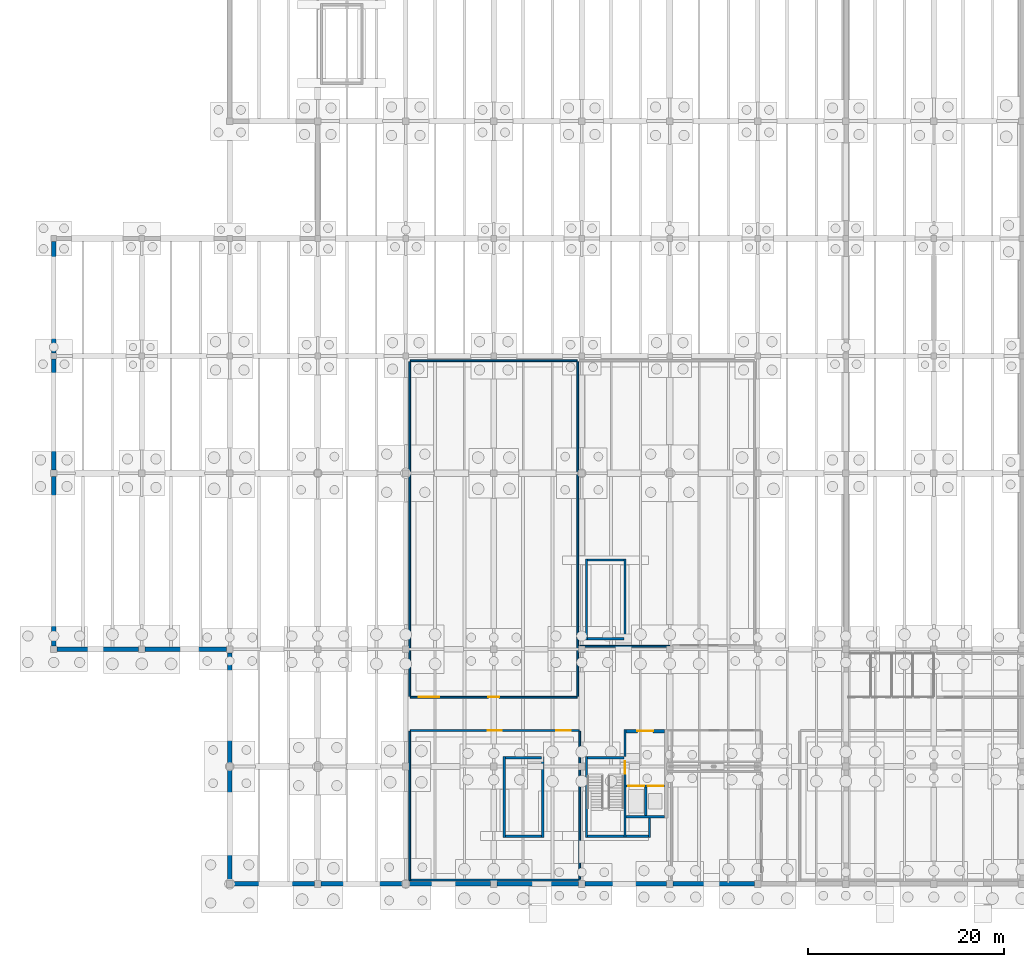
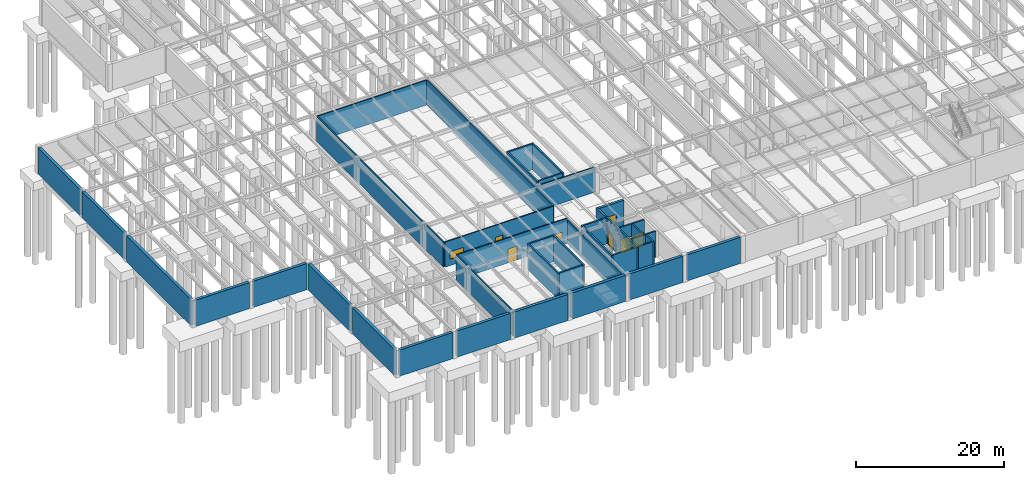
# One storey, part 27 of 40: 41 walls, 6 doors, 2 windows, 8 openings.
"""IFC4 building model written with IfcOpenShell, lengths in metres."""

import ifcopenshell
import ifcopenshell.guid

model = None  # the IFC model being written
_history = None  # IfcOwnerHistory: only IFC2X3 demands one
_inside = {}  # id of a spatial element -> (the spatial element, [elements in it])
_under = {}  # id of a project, library or spatial element -> (it, [spatial elements below it])
_declared = {}  # id of a project -> (the project, [libraries it declares])
_typed = {}  # id of a type object -> (the type object, [elements of that type])
_made_of = {}  # id of a material, layer set ... -> (it, [elements and type objects made of it])


def new_model(schema):
    """Start an empty IFC model of exactly this schema.

    Asked for "IFC4X3", IfcOpenShell would pick the latest addendum, in which some entities
    have other attributes; the version numbers below select the first issue.
    IFC2X3 requires an IfcOwnerHistory on every rooted entity: one is made here for all.
    """
    global model, _history
    if schema == "IFC4X3":
        model = ifcopenshell.file(schema_version=(4, 3, 0, 0))
    else:
        model = ifcopenshell.file(schema=schema)
    _inside.clear()
    _under.clear()
    _declared.clear()
    _typed.clear()
    _made_of.clear()
    _history = None
    if model.schema == "IFC2X3":
        org = make("IfcOrganization", Name="unknown")
        user = make(
            "IfcPersonAndOrganization",
            ThePerson=make("IfcPerson", FamilyName="unknown"),
            TheOrganization=org,
        )
        app = make(
            "IfcApplication",
            ApplicationDeveloper=org,
            Version="unknown",
            ApplicationFullName="unknown",
            ApplicationIdentifier="unknown",
        )
        _history = make(
            "IfcOwnerHistory",
            OwningUser=user,
            OwningApplication=app,
            ChangeAction="ADDED",
            CreationDate=0,
        )
    return model


def make(cls, **values):
    """One entity of the class cls with the attributes given. An attribute that is None is left unset."""
    return model.create_entity(
        cls, **{name: value for name, value in values.items() if value is not None}
    )


def rooted(cls, **values):
    """An entity with a GlobalId (a new one), such as an element, a storey or a relation."""
    return make(cls, GlobalId=ifcopenshell.guid.new(), OwnerHistory=_history, **values)


def si_unit(unit_type, name, prefix=None):
    """IfcSIUnit, for example si_unit("LENGTHUNIT", "METRE", prefix="MILLI")."""
    return make("IfcSIUnit", UnitType=unit_type, Prefix=prefix, Name=name)


def assignment(units):
    """IfcUnitAssignment: the units of a project."""
    return None if units is None else make("IfcUnitAssignment", Units=units)


def point(xyz):
    """IfcCartesianPoint."""
    return None if xyz is None else make("IfcCartesianPoint", Coordinates=xyz)


def direction(xyz):
    """IfcDirection."""
    return None if xyz is None else make("IfcDirection", DirectionRatios=xyz)


def frame(location, z_axis=None, x_axis=None):
    """IfcAxis2Placement3D, a coordinate frame: its origin and axes. An axis left out is left unset."""
    return make(
        "IfcAxis2Placement3D",
        Location=point(location),
        Axis=direction(z_axis),
        RefDirection=direction(x_axis),
    )


def frame_2d(location, x_axis=None):
    """IfcAxis2Placement2D, a coordinate frame in the plane: its origin and x axis."""
    return make(
        "IfcAxis2Placement2D", Location=point(location), RefDirection=direction(x_axis)
    )


def origin():
    """The frame at (0, 0, 0) with its axes left unset."""
    return frame((0.0, 0.0, 0.0))


def place(relative_to, where):
    """IfcLocalPlacement: puts the frame where relative to a parent placement (None: the world)."""
    return make(
        "IfcLocalPlacement", PlacementRelTo=relative_to, RelativePlacement=where
    )


def context(
    kind, dimensions, precision=None, world=None, true_north=None, identifier=None
):
    """IfcGeometricRepresentationContext, for example the 3D "Model" context."""
    return make(
        "IfcGeometricRepresentationContext",
        ContextIdentifier=identifier,
        ContextType=kind,
        CoordinateSpaceDimension=dimensions,
        Precision=precision,
        WorldCoordinateSystem=world,
        TrueNorth=true_north,
    )


def subcontext(parent, identifier, kind, view, scale=None):
    """IfcGeometricRepresentationSubContext, for example "Body" below "Model"."""
    return make(
        "IfcGeometricRepresentationSubContext",
        ContextIdentifier=identifier,
        ContextType=kind,
        ParentContext=parent,
        TargetScale=scale,
        TargetView=view,
    )


def project(units=None, contexts=None):
    """IfcProject with its units and contexts."""
    return rooted(
        "IfcProject",
        Name="project",
        RepresentationContexts=contexts,
        UnitsInContext=assignment(units),
    )


def spatial(cls, under=None, at=None, **own):
    """A site, building, storey or space (cls), placed at a placement, below another one or the project."""
    s = rooted(cls, ObjectPlacement=at, **own)
    if under is not None:
        _under.setdefault(under.id(), (under, []))[1].append(s)
    return s


def profile(cls, at=None, kind="AREA", **sizes):
    """A parametric profile (cls). Its sizes go by their IFC names, for example OverallWidth=200.0."""
    return make(cls, ProfileType=kind, Position=at, **sizes)


def rectangle(**sizes):
    """IfcRectangleProfileDef."""
    return profile("IfcRectangleProfileDef", **sizes)


def extrude(swept, where, along, depth):
    """IfcExtrudedAreaSolid: the profile swept, set in the frame where, extruded along a direction by depth."""
    return make(
        "IfcExtrudedAreaSolid",
        SweptArea=swept,
        Position=where,
        ExtrudedDirection=direction(along),
        Depth=depth,
    )


def shape(context_of_items, identifier, shape_type, items):
    """IfcShapeRepresentation: the items that make up one representation, for example the "Body"."""
    return make(
        "IfcShapeRepresentation",
        ContextOfItems=context_of_items,
        RepresentationIdentifier=identifier,
        RepresentationType=shape_type,
        Items=items,
    )


def material(Name=None, Category=None):
    """IfcMaterial."""
    return make("IfcMaterial", Name=Name, Category=Category)


def layer(
    of_material, thickness, ventilated=None, Name=None, Category=None, Priority=None
):
    """IfcMaterialLayer: one layer of a wall or slab, of a material (None: an air gap)."""
    return make(
        "IfcMaterialLayer",
        Material=of_material,
        LayerThickness=thickness,
        IsVentilated=ventilated,
        Name=Name,
        Category=Category,
        Priority=Priority,
    )


def layer_set(layers, Name=None):
    """IfcMaterialLayerSet."""
    return make("IfcMaterialLayerSet", MaterialLayers=layers, LayerSetName=Name)


def made_of(thing, what):
    """Note that an element or type object is made of a material, layer set ...; save() writes the relation."""
    if what is not None:
        _made_of.setdefault(what.id(), (what, []))[1].append(thing)
    return thing


def type_object(cls, material=None, **own):
    """A type object (cls), such as IfcWallType, which elements share."""
    return made_of(rooted(cls, **own), material)


def element(
    cls,
    number,
    at=None,
    inside=None,
    cuts=None,
    type_object=None,
    material=None,
    context=None,
    identifier="Body",
    shape_type=None,
    held_by="IfcProductDefinitionShape",
    body=None,
    shapes=None,
    **own,
):
    """One element of the class cls, such as IfcWall. Its Tag is "e" and its number.

    at: its placement. inside: the storey or other place that contains it. cuts: it is an
    opening in that element (IfcRelVoidsElement). A single representation is given by context,
    identifier, shape_type and body (its items); several are given by shapes. held_by: the class
    of the entity that holds the representations. save() writes the other relations.
    """
    e = rooted(cls, Tag="e%d" % number, ObjectPlacement=at, **own)
    if body is not None:
        shapes = [shape(context, identifier, shape_type, body)]
    if shapes is not None:
        e.Representation = make(held_by, Representations=shapes)
    if inside is not None:
        _inside.setdefault(inside.id(), (inside, []))[1].append(e)
    if cuts is not None:
        rooted(
            "IfcRelVoidsElement", RelatingBuildingElement=cuts, RelatedOpeningElement=e
        )
    if type_object is not None:
        _typed.setdefault(type_object.id(), (type_object, []))[1].append(e)
    return made_of(e, material)


def fill(opening, filler):
    """IfcRelFillsElement: the door or window that sits in an opening."""
    return rooted(
        "IfcRelFillsElement",
        RelatingOpeningElement=opening,
        RelatedBuildingElement=filler,
    )


def aggregate(whole, parts):
    """IfcRelAggregates: a whole, such as a stair, and the parts it consists of."""
    return rooted("IfcRelAggregates", RelatingObject=whole, RelatedObjects=parts)


def save(model, path):
    """Write the relations noted so far, then the file.

    IfcRelAggregates (storeys below a building ...), IfcRelContainedInSpatialStructure (elements
    in a storey), IfcRelDefinesByType, IfcRelAssociatesMaterial and IfcRelDeclares: one each for
    every whole, place, type object, material and project.
    """
    for whole, parts in _under.values():
        aggregate(whole, parts)
    for where, things in _inside.values():
        rooted(
            "IfcRelContainedInSpatialStructure",
            RelatedElements=things,
            RelatingStructure=where,
        )
    for kind, things in _typed.values():
        rooted("IfcRelDefinesByType", RelatedObjects=things, RelatingType=kind)
    for what, things in _made_of.values():
        rooted("IfcRelAssociatesMaterial", RelatedObjects=things, RelatingMaterial=what)
    for by, libraries in _declared.values():
        rooted("IfcRelDeclares", RelatingContext=by, RelatedDefinitions=libraries)
    model.write(path)


model = new_model("IFC4")

# Units and contexts
model_context = context("Model", 3, precision=1e-05, world=origin(), true_north=direction((0.0, 1.0)))
body_context = subcontext(model_context, "Body", "Model", "MODEL_VIEW")
ifc_project = project(units=[si_unit("LENGTHUNIT", "METRE"), si_unit("AREAUNIT", "SQUARE_METRE"), si_unit("VOLUMEUNIT", "CUBIC_METRE"), si_unit("PLANEANGLEUNIT", "RADIAN"), si_unit("MASSUNIT", "GRAM", prefix="KILO")], contexts=[model_context])

# Site, building, storey
site_placement = place(None, origin())
site = spatial("IfcSite", under=ifc_project, at=site_placement, CompositionType="ELEMENT")
building_placement = place(site_placement, origin())
building = spatial("IfcBuilding", under=site, at=building_placement, Name="Montelvaro Courts of Justice", CompositionType="ELEMENT")
storey_placement = place(building_placement, frame((0.0, 0.0, -4.5)))
storey = spatial("IfcBuildingStorey", under=building, at=storey_placement, Name="B01", CompositionType="ELEMENT", Elevation=-4.5)

# Wall, opening, door
ifc_material_1 = material(Name="Concrete C40/50", Category="concrete")
ifc_layer_1 = layer(ifc_material_1, 0.360107421875)
ifc_layer_set_1 = layer_set([ifc_layer_1], Name="Concrete C40/50")
wall_type_1 = type_object("IfcWallType", Name="CoreWall_360", PredefinedType="SHEAR", material=ifc_layer_set_1)
wall_1_placement = place(storey_placement, frame((58.5400390625, 15.6201171875, 0.0), z_axis=(0.0, 0.0, 1.0), x_axis=(1.0, 0.0, 0.0)))
wall_1 = element("IfcWall", 1, at=wall_1_placement, inside=storey, type_object=wall_type_1, Name="Core Shear Wall CW-01 K1-N (B01)", PredefinedType="SHEAR", context=body_context, shape_type="SweptSolid", body=[
    extrude(rectangle(XDim=3.89990234375, YDim=0.360107421875, at=frame_2d((1.949951171875, 0.0))), origin(), (0.0, 0.0, 1.0), 4.159912109375),
])
opening_1_placement = place(wall_1_placement, frame((1.14990234375, 0.0, 0.0)))
opening_1 = element("IfcOpeningElement", 2, at=opening_1_placement, cuts=wall_1, Name="Opening DL-B01-K1", PredefinedType="OPENING", context=body_context, shape_type="SweptSolid", body=[
    extrude(rectangle(XDim=1.60009765625, YDim=2.25, at=frame_2d((0.800048828125, 1.125))), frame((0.0, 0.19482421875, 0.0), z_axis=(0.0, -1.0, 0.0), x_axis=(1.0, 0.0, 0.0)), (0.0, 0.0, 1.0), 0.389892578125),
])
ifc_material_2 = material(Name="Galvanised steel S355 security door", Category="steel")
door_type_1 = type_object("IfcDoorType", Name="LobbyFireDoor_160x225", OperationType="DOUBLE_DOOR_SINGLE_SWING", PredefinedType="DOOR", material=ifc_material_2)
door_1_placement = place(opening_1_placement, origin())
door_1 = element("IfcDoor", 3, at=door_1_placement, inside=storey, type_object=door_type_1, Name="Core Lobby Fire Door DL-B01-K1", OperationType="DOUBLE_DOOR_SINGLE_SWING", OverallHeight=2.25, OverallWidth=1.60009765625, PredefinedType="DOOR", context=body_context, shape_type="SweptSolid", body=[
    extrude(rectangle(XDim=1.60009765625, YDim=2.25, at=frame_2d((0.800048828125, 1.125))), frame((0.0, 0.02490234375, 0.0), z_axis=(0.0, -1.0, 0.0), x_axis=(1.0, 0.0, 0.0)), (0.0, 0.0, 1.0), 0.050048828125),
])
fill(opening_1, door_1)

# Walls
ifc_material_3 = material(Name="Fire-rated gypsum and steel stud", Category="steel")
ifc_layer_2 = layer(ifc_material_3, 0.179931640625)
ifc_layer_set_2 = layer_set([ifc_layer_2], Name="Fire-rated gypsum and steel stud")
wall_type_2 = type_object("IfcWallType", Name="CorridorFireWall_180", PredefinedType="PARTITIONING", material=ifc_layer_set_2)
wall_2_placement = place(storey_placement, frame((36.47998046875, 53.5, 0.0), z_axis=(0.0, 0.0, 1.0), x_axis=(1.0, 0.0, 0.0)))
element("IfcWall", 4, at=wall_2_placement, inside=storey, type_object=wall_type_2, Name="Interior Partition IW-02 (B01)", PredefinedType="PARTITIONING", context=body_context, shape_type="SweptSolid", body=[
    extrude(rectangle(XDim=17.0400390625, YDim=0.179931640625, at=frame_2d((8.52001953125, 0.0))), origin(), (0.0, 0.0, 1.0), 4.139892578125),
])
wall_3_placement = place(storey_placement, frame((53.60009765625, 53.419921875, 0.0), z_axis=(0.0, 0.0, 1.0), x_axis=(0.0, -1.0, 0.0)))
element("IfcWall", 5, at=wall_3_placement, inside=storey, type_object=wall_type_2, Name="Interior Partition IW-02 (B01)", PredefinedType="PARTITIONING", context=body_context, shape_type="SweptSolid", body=[
    extrude(rectangle(XDim=34.239990234375, YDim=0.179931640625, at=frame_2d((17.1201171875, 0.0))), origin(), (0.0, 0.0, 1.0), 4.139892578125),
])

# Wall, openings, door, window
wall_4_placement = place(storey_placement, frame((53.52001953125, 19.10009765625, 0.0), z_axis=(0.0, 0.0, 1.0), x_axis=(-1.0, 0.0, 0.0)))
wall_4 = element("IfcWall", 6, at=wall_4_placement, inside=storey, type_object=wall_type_2, Name="Interior Partition IW-02 (B01)", PredefinedType="PARTITIONING", context=body_context, shape_type="SweptSolid", body=[
    extrude(rectangle(XDim=17.0400390625, YDim=0.179931640625, at=frame_2d((8.52001953125, 0.0))), origin(), (0.0, 0.0, 1.0), 4.139892578125),
])
opening_2_placement = place(wall_4_placement, frame((7.945068359375, 0.0, 0.0)))
opening_2 = element("IfcOpeningElement", 7, at=opening_2_placement, cuts=wall_4, Name="Opening D-B01-010", PredefinedType="OPENING", context=body_context, shape_type="SweptSolid", body=[
    extrude(rectangle(XDim=1.14990234375, YDim=2.14990234375, at=frame_2d((0.574951171875, 1.074951171875))), frame((0.0, 0.10498046875, 0.0), z_axis=(0.0, -1.0, 0.0), x_axis=(1.0, 0.0, 0.0)), (0.0, 0.0, 1.0), 0.209716796875),
])
opening_3_placement = place(wall_4_placement, frame((14.090087890625, 0.0, 1.050048828125)))
opening_3 = element("IfcOpeningElement", 8, at=opening_3_placement, cuts=wall_4, Name="Opening WI-04", PredefinedType="OPENING", context=body_context, shape_type="SweptSolid", body=[
    extrude(rectangle(XDim=2.10009765625, YDim=1.199951171875, at=frame_2d((1.050048828125, 0.60009765625))), frame((0.0, 0.10498046875, 0.0), z_axis=(0.0, -1.0, 0.0), x_axis=(1.0, 0.0, 0.0)), (0.0, 0.0, 1.0), 0.209716796875),
])
door_type_2 = type_object("IfcDoorType", Name="CustodyDoor_115x215", OperationType="NOTDEFINED", PredefinedType="DOOR", material=ifc_material_2)
door_2_placement = place(opening_2_placement, origin())
door_2 = element("IfcDoor", 9, at=door_2_placement, inside=storey, type_object=door_type_2, Name="Interior Door D-B01-010 (Subterranean Judicial Archives)", OperationType="SINGLE_SWING_RIGHT", OverallHeight=2.14990234375, OverallWidth=1.14990234375, PredefinedType="DOOR", context=body_context, shape_type="SweptSolid", body=[
    extrude(rectangle(XDim=1.14990234375, YDim=2.14990234375, at=frame_2d((0.574951171875, 1.074951171875))), frame((0.0, 0.02490234375, 0.0), z_axis=(0.0, -1.0, 0.0), x_axis=(1.0, 0.0, 0.0)), (0.0, 0.0, 1.0), 0.050048828125),
])
fill(opening_2, door_2)
ifc_material_4 = material(Name="Acoustic laminated double glazing", Category="glass")
window_type_1 = type_object("IfcWindowType", Name="IntVision_210x120", PartitioningType="SINGLE_PANEL", PredefinedType="WINDOW", material=ifc_material_4)
window_1_placement = place(opening_3_placement, origin())
window_1 = element("IfcWindow", 10, at=window_1_placement, inside=storey, type_object=window_type_1, Name="Interior Vision Panel WI-004", OverallHeight=1.199951171875, OverallWidth=2.10009765625, PartitioningType="SINGLE_PANEL", PredefinedType="WINDOW", context=body_context, shape_type="SweptSolid", body=[
    extrude(rectangle(XDim=2.10009765625, YDim=1.199951171875, at=frame_2d((1.050048828125, 0.60009765625))), frame((0.0, 0.030029296875, 0.0), z_axis=(0.0, -1.0, 0.0), x_axis=(1.0, 0.0, 0.0)), (0.0, 0.0, 1.0), 0.06005859375),
])
fill(opening_3, window_1)

# Walls
wall_5_placement = place(storey_placement, frame((36.39990234375, 19.179931640625, 0.0), z_axis=(0.0, 0.0, 1.0), x_axis=(0.0, 1.0, 0.0)))
element("IfcWall", 11, at=wall_5_placement, inside=storey, type_object=wall_type_2, Name="Interior Partition IW-02 (B01)", PredefinedType="PARTITIONING", context=body_context, shape_type="SweptSolid", body=[
    extrude(rectangle(XDim=34.239990234375, YDim=0.179931640625, at=frame_2d((17.1201171875, 0.0))), origin(), (0.0, 0.0, 1.0), 4.139892578125),
])
wall_6_placement = place(storey_placement, frame((63.02001953125, 24.300048828125, 0.0), z_axis=(0.0, 0.0, 1.0), x_axis=(-1.0, 0.0, 0.0)))
element("IfcWall", 12, at=wall_6_placement, inside=storey, type_object=wall_type_2, Name="Interior Partition IW-02 (B01)", PredefinedType="PARTITIONING", context=body_context, shape_type="SweptSolid", body=[
    extrude(rectangle(XDim=9.239990234375, YDim=0.179931640625, at=frame_2d((4.6201171875, 0.0))), origin(), (0.0, 0.0, 1.0), 4.139892578125),
])
wall_7_placement = place(storey_placement, frame((36.39990234375, 0.345947265625, 0.0), z_axis=(0.0, 0.0, 1.0), x_axis=(0.0, 1.0, 0.0)))
element("IfcWall", 13, at=wall_7_placement, inside=storey, type_object=wall_type_2, Name="Interior Partition IW-02 (B01)", PredefinedType="PARTITIONING", context=body_context, shape_type="SweptSolid", body=[
    extrude(rectangle(XDim=15.274169921875, YDim=0.179931640625, at=frame_2d((7.63720703125, 0.0))), origin(), (0.0, 0.0, 1.0), 4.139892578125),
])

# Wall, openings, door, window
wall_8_placement = place(storey_placement, frame((36.47998046875, 15.699951171875, 0.0), z_axis=(0.0, 0.0, 1.0), x_axis=(1.0, 0.0, 0.0)))
wall_8 = element("IfcWall", 14, at=wall_8_placement, inside=storey, type_object=wall_type_2, Name="Interior Partition IW-02 (B01)", PredefinedType="PARTITIONING", context=body_context, shape_type="SweptSolid", body=[
    extrude(rectangle(XDim=17.239990234375, YDim=0.179931640625, at=frame_2d((8.6201171875, 0.0))), origin(), (0.0, 0.0, 1.0), 4.139892578125),
])
opening_4_placement = place(wall_8_placement, frame((7.89501953125, 0.0, 0.0)))
opening_4 = element("IfcOpeningElement", 15, at=opening_4_placement, cuts=wall_8, Name="Opening D-B01-012", PredefinedType="OPENING", context=body_context, shape_type="SweptSolid", body=[
    extrude(rectangle(XDim=1.449951171875, YDim=2.300048828125, at=frame_2d((0.72509765625, 1.14990234375))), frame((0.0, 0.10498046875, 0.0), z_axis=(0.0, -1.0, 0.0), x_axis=(1.0, 0.0, 0.0)), (0.0, 0.0, 1.0), 0.209716796875),
])
opening_5_placement = place(wall_8_placement, frame((14.889892578125, 0.0, 1.050048828125)))
opening_5 = element("IfcOpeningElement", 16, at=opening_5_placement, cuts=wall_8, Name="Opening WI-02", PredefinedType="OPENING", context=body_context, shape_type="SweptSolid", body=[
    extrude(rectangle(XDim=1.5, YDim=1.10009765625, at=frame_2d((0.75, 0.550048828125))), frame((0.0, 0.10498046875, 0.0), z_axis=(0.0, -1.0, 0.0), x_axis=(1.0, 0.0, 0.0)), (0.0, 0.0, 1.0), 0.209716796875),
])
door_type_3 = type_object("IfcDoorType", Name="ArchiveVaultDoor_145x230", OperationType="DOUBLE_DOOR_SINGLE_SWING", PredefinedType="DOOR", material=ifc_material_2)
door_3_placement = place(opening_4_placement, origin())
door_3 = element("IfcDoor", 17, at=door_3_placement, inside=storey, type_object=door_type_3, Name="Interior Door D-B01-012 (Compact Shelving Archive Vault)", OperationType="DOUBLE_DOOR_SINGLE_SWING", OverallHeight=2.300048828125, OverallWidth=1.449951171875, PredefinedType="DOOR", context=body_context, shape_type="SweptSolid", body=[
    extrude(rectangle(XDim=1.449951171875, YDim=2.300048828125, at=frame_2d((0.72509765625, 1.14990234375))), frame((0.0, 0.02490234375, 0.0), z_axis=(0.0, -1.0, 0.0), x_axis=(1.0, 0.0, 0.0)), (0.0, 0.0, 1.0), 0.050048828125),
])
fill(opening_4, door_3)
window_type_2 = type_object("IfcWindowType", Name="IntVision_150x110", PartitioningType="SINGLE_PANEL", PredefinedType="WINDOW", material=ifc_material_4)
window_2_placement = place(opening_5_placement, origin())
window_2 = element("IfcWindow", 18, at=window_2_placement, inside=storey, type_object=window_type_2, Name="Interior Vision Panel WI-006", OverallHeight=1.10009765625, OverallWidth=1.5, PartitioningType="SINGLE_PANEL", PredefinedType="WINDOW", context=body_context, shape_type="SweptSolid", body=[
    extrude(rectangle(XDim=1.5, YDim=1.10009765625, at=frame_2d((0.75, 0.550048828125))), frame((0.0, 0.030029296875, 0.0), z_axis=(0.0, -1.0, 0.0), x_axis=(1.0, 0.0, 0.0)), (0.0, 0.0, 1.0), 0.06005859375),
])
fill(opening_5, window_2)

# Walls
wall_9_placement = place(storey_placement, frame((53.800048828125, 15.6201171875, 0.0), z_axis=(0.0, 0.0, 1.0), x_axis=(0.0, -1.0, 0.0)))
element("IfcWall", 19, at=wall_9_placement, inside=storey, type_object=wall_type_2, Name="Interior Partition IW-02 (B01)", PredefinedType="PARTITIONING", context=body_context, shape_type="SweptSolid", body=[
    extrude(rectangle(XDim=15.14013671875, YDim=0.179931640625, at=frame_2d((7.570068359375, 0.0))), origin(), (0.0, 0.0, 1.0), 3.824951171875),
])
wall_10_placement = place(storey_placement, frame((53.719970703125, 0.39990234375, 0.0), z_axis=(0.0, 0.0, 1.0), x_axis=(-1.0, 0.0, 0.0)))
element("IfcWall", 20, at=wall_10_placement, inside=storey, type_object=wall_type_2, Name="Interior Partition IW-02 (B01)", PredefinedType="PARTITIONING", context=body_context, shape_type="SweptSolid", body=[
    extrude(rectangle(XDim=17.239990234375, YDim=0.179931640625, at=frame_2d((8.6201171875, 0.0))), origin(), (0.0, 0.0, 1.0), 4.139892578125),
])
ifc_material_5 = material(Name="Concrete C35/45", Category="concrete")
ifc_layer_3 = layer(ifc_material_5, 0.449951171875)
ifc_layer_set_3 = layer_set([ifc_layer_3], Name="Concrete C35/45")
wall_type_3 = type_object("IfcWallType", Name="RetainingWall_450", PredefinedType="USERDEFINED", material=ifc_layer_set_3)
wall_11_placement = place(storey_placement, frame((0.34619140625, 24.0, 0.0), z_axis=(0.0, 0.0, 1.0), x_axis=(1.0, 0.0, 0.0)))
element("IfcWall", 21, at=wall_11_placement, inside=storey, type_object=wall_type_3, Name="Basement Plinth Retaining Wall RW-01-047", ObjectType="RETAININGWALL", PredefinedType="USERDEFINED", context=body_context, shape_type="SweptSolid", body=[
    extrude(rectangle(XDim=8.307861328125, YDim=0.449951171875, at=frame_2d((4.15380859375, 0.0))), origin(), (0.0, 0.0, 1.0), 4.320068359375),
])
wall_12_placement = place(storey_placement, frame((9.345947265625, 24.0, 0.0), z_axis=(0.0, 0.0, 1.0), x_axis=(1.0, 0.0, 0.0)))
element("IfcWall", 22, at=wall_12_placement, inside=storey, type_object=wall_type_3, Name="Basement Plinth Retaining Wall RW-01-048", ObjectType="RETAININGWALL", PredefinedType="USERDEFINED", context=body_context, shape_type="SweptSolid", body=[
    extrude(rectangle(XDim=8.30810546875, YDim=0.449951171875, at=frame_2d((4.154052734375, 0.0))), origin(), (0.0, 0.0, 1.0), 4.320068359375),
])
wall_13_placement = place(storey_placement, frame((18.0, 23.6337890625, 0.0), z_axis=(0.0, 0.0, 1.0), x_axis=(0.0, -1.0, 0.0)))
element("IfcWall", 23, at=wall_13_placement, inside=storey, type_object=wall_type_3, Name="Basement Plinth Retaining Wall RW-01-049", ObjectType="RETAININGWALL", PredefinedType="USERDEFINED", context=body_context, shape_type="SweptSolid", body=[
    extrude(rectangle(XDim=11.287841796875, YDim=0.449951171875, at=frame_2d((5.64404296875, 0.0))), origin(), (0.0, 0.0, 1.0), 4.320068359375),
])
wall_14_placement = place(storey_placement, frame((18.0, 11.654052734375, 0.0), z_axis=(0.0, 0.0, 1.0), x_axis=(0.0, -1.0, 0.0)))
element("IfcWall", 24, at=wall_14_placement, inside=storey, type_object=wall_type_3, Name="Basement Plinth Retaining Wall RW-01-050", ObjectType="RETAININGWALL", PredefinedType="USERDEFINED", context=body_context, shape_type="SweptSolid", body=[
    extrude(rectangle(XDim=11.307861328125, YDim=0.449951171875, at=frame_2d((5.65380859375, 0.0))), origin(), (0.0, 0.0, 1.0), 4.320068359375),
])
wall_15_placement = place(storey_placement, frame((18.34619140625, 0.0, 0.0), z_axis=(0.0, 0.0, 1.0), x_axis=(1.0, 0.0, 0.0)))
element("IfcWall", 25, at=wall_15_placement, inside=storey, type_object=wall_type_3, Name="Basement Plinth Retaining Wall RW-01-051", ObjectType="RETAININGWALL", PredefinedType="USERDEFINED", context=body_context, shape_type="SweptSolid", body=[
    extrude(rectangle(XDim=8.307861328125, YDim=0.449951171875, at=frame_2d((4.15380859375, 0.0))), origin(), (0.0, 0.0, 1.0), 4.320068359375),
])
for number, where, z_axis, x_axis, name in (
    (26, (27.345947265625, 0.0, 0.0), (0.0, 0.0, 1.0), (1.0, 0.0, 0.0), "Basement Plinth Retaining Wall RW-01-052"),
    (27, (36.345947265625, 0.0, 0.0), (0.0, 0.0, 1.0), (1.0, 0.0, 0.0), "Basement Plinth Retaining Wall RW-01-053"),
    (28, (45.345947265625, 0.0, 0.0), (0.0, 0.0, 1.0), (1.0, 0.0, 0.0), "Basement Plinth Retaining Wall RW-01-054"),
    (29, (54.345947265625, 0.0, 0.0), (0.0, 0.0, 1.0), (1.0, 0.0, 0.0), "Basement Plinth Retaining Wall RW-01-055"),
    (30, (63.345947265625, 0.0, 0.0), (0.0, 0.0, 1.0), (1.0, 0.0, 0.0), "Basement Plinth Retaining Wall RW-01-056"),
):
    element("IfcWall", number, at=place(storey_placement, frame(where, z_axis=z_axis, x_axis=x_axis)), inside=storey, type_object=wall_type_3, Name=name, ObjectType="RETAININGWALL", PredefinedType="USERDEFINED", context=body_context, shape_type="SweptSolid", body=[
        extrude(rectangle(XDim=8.30810546875, YDim=0.449951171875, at=frame_2d((4.154052734375, 0.0))), origin(), (0.0, 0.0, 1.0), 4.320068359375),
    ])
wall_16_placement = place(storey_placement, frame((0.0, 65.703857421875, 0.0), z_axis=(0.0, 0.0, 1.0), x_axis=(0.0, -1.0, 0.0)))
element("IfcWall", 31, at=wall_16_placement, inside=storey, type_object=wall_type_3, Name="Basement Plinth Retaining Wall RW-01-074", ObjectType="RETAININGWALL", PredefinedType="USERDEFINED", context=body_context, shape_type="SweptSolid", body=[
    extrude(rectangle(XDim=11.407958984375, YDim=0.449951171875, at=frame_2d((5.7041015625, 0.0))), origin(), (0.0, 0.0, 1.0), 4.320068359375),
])
wall_17_placement = place(storey_placement, frame((0.0, 53.7041015625, 0.0), z_axis=(0.0, 0.0, 1.0), x_axis=(0.0, -1.0, 0.0)))
element("IfcWall", 32, at=wall_17_placement, inside=storey, type_object=wall_type_3, Name="Basement Plinth Retaining Wall RW-01-075", ObjectType="RETAININGWALL", PredefinedType="USERDEFINED", context=body_context, shape_type="SweptSolid", body=[
    extrude(rectangle(XDim=11.358154296875, YDim=0.449951171875, at=frame_2d((5.67919921875, 0.0))), origin(), (0.0, 0.0, 1.0), 4.320068359375),
])
wall_18_placement = place(storey_placement, frame((0.0, 41.654052734375, 0.0), z_axis=(0.0, 0.0, 1.0), x_axis=(0.0, -1.0, 0.0)))
element("IfcWall", 33, at=wall_18_placement, inside=storey, type_object=wall_type_3, Name="Basement Plinth Retaining Wall RW-01-076", ObjectType="RETAININGWALL", PredefinedType="USERDEFINED", context=body_context, shape_type="SweptSolid", body=[
    extrude(rectangle(XDim=17.307861328125, YDim=0.449951171875, at=frame_2d((8.65380859375, 0.0))), origin(), (0.0, 0.0, 1.0), 4.320068359375),
])
ifc_layer_4 = layer(ifc_material_5, 0.239990234375)
ifc_layer_set_4 = layer_set([ifc_layer_4], Name="Concrete C35/45")
wall_type_4 = type_object("IfcWallType", Name="ShaftWall_240", PredefinedType="SHEAR", material=ifc_layer_set_4)
wall_19_placement = place(storey_placement, frame((54.47998046875, 4.760009765625, 0.0), z_axis=(0.0, 0.0, 1.0), x_axis=(0.0, 1.0, 0.0)))
element("IfcWall", 34, at=wall_19_placement, inside=storey, type_object=wall_type_4, Name="Protected Stair Structural Wall ST-K1-W (B01)", PredefinedType="SHEAR", context=body_context, shape_type="SweptSolid", body=[
    extrude(rectangle(XDim=8.280029296875, YDim=0.239990234375, at=frame_2d((4.14013671875, 0.0))), origin(), (0.0, 0.0, 1.0), 4.31005859375),
])

# Wall, opening, door
wall_20_placement = place(storey_placement, frame((58.419921875, 4.760009765625, 0.0), z_axis=(0.0, 0.0, 1.0), x_axis=(0.0, 1.0, 0.0)))
wall_20 = element("IfcWall", 35, at=wall_20_placement, inside=storey, type_object=wall_type_4, Name="Protected Stair Structural Wall ST-K1-E (B01)", PredefinedType="SHEAR", context=body_context, shape_type="SweptSolid", body=[
    extrude(rectangle(XDim=8.280029296875, YDim=0.239990234375, at=frame_2d((4.14013671875, 0.0))), origin(), (0.0, 0.0, 1.0), 4.31005859375),
])
opening_6_placement = place(wall_20_placement, frame((6.489990234375, 0.0, 0.0)))
opening_6 = element("IfcOpeningElement", 36, at=opening_6_placement, cuts=wall_20, Name="Opening DS-B01-K1", PredefinedType="OPENING", context=body_context, shape_type="SweptSolid", body=[
    extrude(rectangle(XDim=1.300048828125, YDim=2.199951171875, at=frame_2d((0.64990234375, 1.10009765625))), frame((0.0, 0.134765625, 0.0), z_axis=(0.0, -1.0, 0.0), x_axis=(1.0, 0.0, 0.0)), (0.0, 0.0, 1.0), 0.269775390625),
])
door_type_4 = type_object("IfcDoorType", Name="StairFireDoor_130x220", OperationType="NOTDEFINED", PredefinedType="DOOR", material=ifc_material_2)
door_4_placement = place(opening_6_placement, frame((1.300048828125, 0.0, 0.0), z_axis=(0.0, 0.0, 1.0), x_axis=(-1.0, 0.0, 0.0)))
door_4 = element("IfcDoor", 37, at=door_4_placement, inside=storey, type_object=door_type_4, Name="Protected Stair Fire Door DS-B01-K1", OperationType="SINGLE_SWING_LEFT", OverallHeight=2.199951171875, OverallWidth=1.300048828125, PredefinedType="DOOR", context=body_context, shape_type="SweptSolid", body=[
    extrude(rectangle(XDim=1.300048828125, YDim=2.199951171875, at=frame_2d((0.64990234375, 1.10009765625))), frame((0.0, 0.02490234375, 0.0), z_axis=(0.0, -1.0, 0.0), x_axis=(1.0, 0.0, 0.0)), (0.0, 0.0, 1.0), 0.050048828125),
])
fill(opening_6, door_4)

# Walls
for number, where, z_axis, x_axis, name in (
    (38, (54.60009765625, 4.8798828125, 0.0), (0.0, 0.0, 1.0), (1.0, 0.0, 0.0), "Protected Stair Structural Wall ST-K1-S (B01)"),
    (39, (54.60009765625, 12.919921875, 0.0), (0.0, 0.0, 1.0), (1.0, 0.0, 0.0), "Protected Stair Structural Wall ST-K1-N (B01)"),
):
    element("IfcWall", number, at=place(storey_placement, frame(where, z_axis=z_axis, x_axis=x_axis)), inside=storey, type_object=wall_type_4, Name=name, PredefinedType="SHEAR", context=body_context, shape_type="SweptSolid", body=[
        extrude(rectangle(XDim=3.699951171875, YDim=0.239990234375, at=frame_2d((1.85009765625, 0.0))), origin(), (0.0, 0.0, 1.0), 4.31005859375),
    ])
for number, where, z_axis, x_axis, name in (
    (40, (54.47998046875, 24.9599609375, 0.0), (0.0, 0.0, 1.0), (0.0, 1.0, 0.0), "Protected Stair Structural Wall ST-W1-W (B01)"),
    (41, (58.419921875, 24.9599609375, 0.0), (0.0, 0.0, 1.0), (0.0, 1.0, 0.0), "Protected Stair Structural Wall ST-W1-E (B01)"),
):
    element("IfcWall", number, at=place(storey_placement, frame(where, z_axis=z_axis, x_axis=x_axis)), inside=storey, type_object=wall_type_4, Name=name, PredefinedType="SHEAR", context=body_context, shape_type="SweptSolid", body=[
        extrude(rectangle(XDim=8.280029296875, YDim=0.239990234375, at=frame_2d((4.14013671875, 0.0))), origin(), (0.0, 0.0, 1.0), 4.31005859375),
    ])
for number, where, z_axis, x_axis, name in (
    (42, (54.60009765625, 25.080078125, 0.0), (0.0, 0.0, 1.0), (1.0, 0.0, 0.0), "Protected Stair Structural Wall ST-W1-S (B01)"),
    (43, (54.60009765625, 33.1201171875, 0.0), (0.0, 0.0, 1.0), (1.0, 0.0, 0.0), "Protected Stair Structural Wall ST-W1-N (B01)"),
):
    element("IfcWall", number, at=place(storey_placement, frame(where, z_axis=z_axis, x_axis=x_axis)), inside=storey, type_object=wall_type_4, Name=name, PredefinedType="SHEAR", context=body_context, shape_type="SweptSolid", body=[
        extrude(rectangle(XDim=3.699951171875, YDim=0.239990234375, at=frame_2d((1.85009765625, 0.0))), origin(), (0.0, 0.0, 1.0), 4.31005859375),
    ])
for number, where, z_axis, x_axis, name in (
    (44, (46.080078125, 4.760009765625, 0.0), (0.0, 0.0, 1.0), (0.0, 1.0, 0.0), "Protected Stair Structural Wall ST-E1-W (B01)"),
    (45, (50.02001953125, 4.760009765625, 0.0), (0.0, 0.0, 1.0), (0.0, 1.0, 0.0), "Protected Stair Structural Wall ST-E1-E (B01)"),
):
    element("IfcWall", number, at=place(storey_placement, frame(where, z_axis=z_axis, x_axis=x_axis)), inside=storey, type_object=wall_type_4, Name=name, PredefinedType="SHEAR", context=body_context, shape_type="SweptSolid", body=[
        extrude(rectangle(XDim=8.280029296875, YDim=0.239990234375, at=frame_2d((4.14013671875, 0.0))), origin(), (0.0, 0.0, 1.0), 4.31005859375),
    ])
for number, where, z_axis, x_axis, name in (
    (46, (46.199951171875, 4.8798828125, 0.0), (0.0, 0.0, 1.0), (1.0, 0.0, 0.0), "Protected Stair Structural Wall ST-E1-S (B01)"),
    (47, (46.199951171875, 12.919921875, 0.0), (0.0, 0.0, 1.0), (1.0, 0.0, 0.0), "Protected Stair Structural Wall ST-E1-N (B01)"),
):
    element("IfcWall", number, at=place(storey_placement, frame(where, z_axis=z_axis, x_axis=x_axis)), inside=storey, type_object=wall_type_4, Name=name, PredefinedType="SHEAR", context=body_context, shape_type="SweptSolid", body=[
        extrude(rectangle(XDim=3.699951171875, YDim=0.239990234375, at=frame_2d((1.85009765625, 0.0))), origin(), (0.0, 0.0, 1.0), 4.31005859375),
    ])
wall_21_placement = place(storey_placement, frame((58.419921875, 13.0400390625, 0.0), z_axis=(0.0, 0.0, 1.0), x_axis=(0.0, 1.0, 0.0)))
element("IfcWall", 48, at=wall_21_placement, inside=storey, type_object=wall_type_4, Name="Core Lobby Structural Wall K1-W (B01)", PredefinedType="SHEAR", context=body_context, shape_type="SweptSolid", body=[
    extrude(rectangle(XDim=2.760009765625, YDim=0.239990234375, at=frame_2d((1.3798828125, 0.0))), origin(), (0.0, 0.0, 1.0), 4.159912109375),
])

# Wall, openings, doors
wall_22_placement = place(storey_placement, frame((58.5400390625, 10.02001953125, 0.0), z_axis=(0.0, 0.0, 1.0), x_axis=(1.0, 0.0, 0.0)))
wall_22 = element("IfcWall", 49, at=wall_22_placement, inside=storey, type_object=wall_type_4, Name="Lift Shaft Bank Wall K1 (B01)", PredefinedType="SHEAR", context=body_context, shape_type="SweptSolid", body=[
    extrude(rectangle(XDim=3.89990234375, YDim=0.239990234375, at=frame_2d((1.949951171875, 0.0))), origin(), (0.0, 0.0, 1.0), 4.31005859375),
])
opening_7_placement = place(wall_22_placement, frame((0.235107421875, 0.0, 0.0)))
opening_7 = element("IfcOpeningElement", 50, at=opening_7_placement, cuts=wall_22, Name="Opening LD-LF-01-B01", PredefinedType="OPENING", context=body_context, shape_type="SweptSolid", body=[
    extrude(rectangle(XDim=1.60009765625, YDim=2.300048828125, at=frame_2d((0.800048828125, 1.14990234375))), frame((0.0, 0.134765625, 0.0), z_axis=(0.0, -1.0, 0.0), x_axis=(1.0, 0.0, 0.0)), (0.0, 0.0, 1.0), 0.269775390625),
])
opening_8_placement = place(wall_22_placement, frame((2.18505859375, 0.0, 0.0)))
opening_8 = element("IfcOpeningElement", 51, at=opening_8_placement, cuts=wall_22, Name="Opening LD-LJ-01-B01", PredefinedType="OPENING", context=body_context, shape_type="SweptSolid", body=[
    extrude(rectangle(XDim=1.60009765625, YDim=2.300048828125, at=frame_2d((0.800048828125, 1.14990234375))), frame((0.0, 0.134765625, 0.0), z_axis=(0.0, -1.0, 0.0), x_axis=(1.0, 0.0, 0.0)), (0.0, 0.0, 1.0), 0.269775390625),
])
door_type_5 = type_object("IfcDoorType", Name="LiftDoor_160x230", OperationType="DOUBLE_DOOR_SLIDING", PredefinedType="DOOR", material=ifc_material_2)
door_5_placement = place(opening_7_placement, origin())
door_5 = element("IfcDoor", 52, at=door_5_placement, inside=storey, type_object=door_type_5, Name="Lift Landing Sliding Door LD-LF-01-B01", OperationType="DOUBLE_DOOR_SLIDING", OverallHeight=2.300048828125, OverallWidth=1.60009765625, PredefinedType="DOOR", context=body_context, shape_type="SweptSolid", body=[
    extrude(rectangle(XDim=1.60009765625, YDim=2.300048828125, at=frame_2d((0.800048828125, 1.14990234375))), frame((0.0, 0.02490234375, 0.0), z_axis=(0.0, -1.0, 0.0), x_axis=(1.0, 0.0, 0.0)), (0.0, 0.0, 1.0), 0.050048828125),
])
fill(opening_7, door_5)
door_6_placement = place(opening_8_placement, origin())
door_6 = element("IfcDoor", 53, at=door_6_placement, inside=storey, type_object=door_type_5, Name="Lift Landing Sliding Door LD-LJ-01-B01", OperationType="DOUBLE_DOOR_SLIDING", OverallHeight=2.300048828125, OverallWidth=1.60009765625, PredefinedType="DOOR", context=body_context, shape_type="SweptSolid", body=[
    extrude(rectangle(XDim=1.60009765625, YDim=2.300048828125, at=frame_2d((0.800048828125, 1.14990234375))), frame((0.0, 0.02490234375, 0.0), z_axis=(0.0, -1.0, 0.0), x_axis=(1.0, 0.0, 0.0)), (0.0, 0.0, 1.0), 0.050048828125),
])
fill(opening_8, door_6)

# Walls
wall_23_placement = place(storey_placement, frame((58.5400390625, 6.8798828125, 0.0), z_axis=(0.0, 0.0, 1.0), x_axis=(1.0, 0.0, 0.0)))
element("IfcWall", 54, at=wall_23_placement, inside=storey, type_object=wall_type_4, Name="Lift Shaft Back Wall K1 (B01)", PredefinedType="SHEAR", context=body_context, shape_type="SweptSolid", body=[
    extrude(rectangle(XDim=3.89990234375, YDim=0.239990234375, at=frame_2d((1.949951171875, 0.0))), origin(), (0.0, 0.0, 1.0), 4.31005859375),
])
wall_24_placement = place(storey_placement, frame((60.550048828125, 7.0, 0.0), z_axis=(0.0, 0.0, 1.0), x_axis=(0.0, 1.0, 0.0)))
element("IfcWall", 55, at=wall_24_placement, inside=storey, type_object=wall_type_4, Name="Lift Shaft Divider Wall K1-LFD1 (B01)", PredefinedType="SHEAR", context=body_context, shape_type="SweptSolid", body=[
    extrude(rectangle(XDim=2.89990234375, YDim=0.239990234375, at=frame_2d((1.449951171875, 0.0))), origin(), (0.0, 0.0, 1.0), 4.31005859375),
])
wall_25_placement = place(storey_placement, frame((60.919921875, 4.760009765625, 0.0), z_axis=(0.0, 0.0, 1.0), x_axis=(0.0, 1.0, 0.0)))
element("IfcWall", 56, at=wall_25_placement, inside=storey, type_object=wall_type_4, Name="Service Riser East Shaft Wall K1 (B01)", PredefinedType="SHEAR", context=body_context, shape_type="SweptSolid", body=[
    extrude(rectangle(XDim=2.0, YDim=0.239990234375, at=frame_2d((1.0, 0.0))), origin(), (0.0, 0.0, 1.0), 4.31005859375),
])
wall_26_placement = place(storey_placement, frame((58.5400390625, 4.8798828125, 0.0), z_axis=(0.0, 0.0, 1.0), x_axis=(1.0, 0.0, 0.0)))
element("IfcWall", 57, at=wall_26_placement, inside=storey, type_object=wall_type_4, Name="Service Riser South Shaft Wall K1 (B01)", PredefinedType="SHEAR", context=body_context, shape_type="SweptSolid", body=[
    extrude(rectangle(XDim=2.260009765625, YDim=0.239990234375, at=frame_2d((1.1298828125, 0.0))), origin(), (0.0, 0.0, 1.0), 4.31005859375),
])

save(model, "model.ifc")
